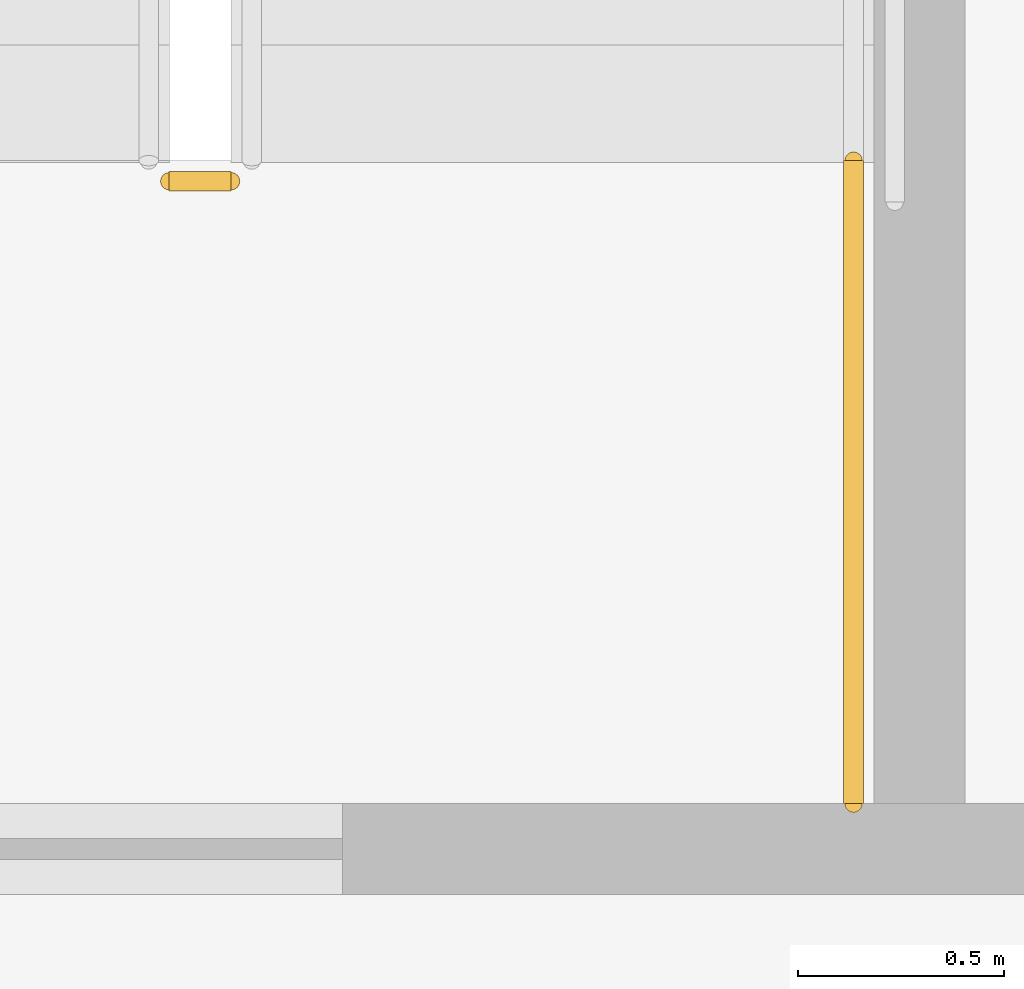
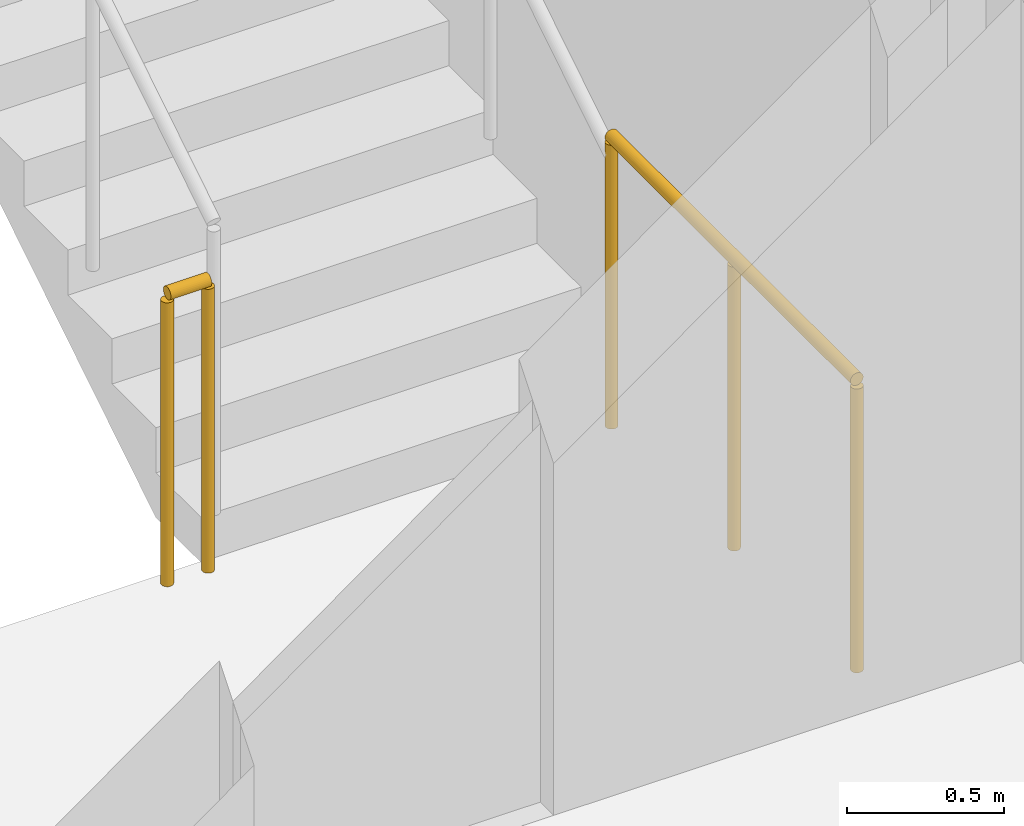
# One storey, part 11 of 14: 2 railings.
"""IFC4 building model written with IfcOpenShell, lengths in metres."""

from ifc_helpers import new_model, si_unit, direction, frame, origin, origin_2d, place, context, subcontext, project, spatial, circle, extrude, material, type_object, element, save


model = new_model("IFC4")

# Units and contexts
model_context = context("Model", 3, precision=1e-05, world=origin(), true_north=direction((0.0, 1.0)))
body_context = subcontext(model_context, "Body", "Model", "MODEL_VIEW")
ifc_project = project(units=[si_unit("LENGTHUNIT", "METRE"), si_unit("AREAUNIT", "SQUARE_METRE"), si_unit("VOLUMEUNIT", "CUBIC_METRE"), si_unit("PLANEANGLEUNIT", "RADIAN"), si_unit("MASSUNIT", "GRAM", prefix="KILO")], contexts=[model_context])

# Site, building, storey
site_placement = place(None, origin())
site = spatial("IfcSite", under=ifc_project, at=site_placement, CompositionType="ELEMENT")
building_placement = place(site_placement, origin())
building = spatial("IfcBuilding", under=site, at=building_placement, Name="Khairoan Windgate Tower", CompositionType="ELEMENT")
storey_placement = place(building_placement, frame((0.0, 0.0, 93.199951171875)))
storey = spatial("IfcBuildingStorey", under=building, at=storey_placement, Name="L21", CompositionType="ELEMENT", Elevation=93.199951171875)

# Railings
ifc_material = material(Name="Steel S355", Category="steel")
railing_type = type_object("IfcRailingType", Name="Stairwell Safety Guardrail SGR-1150", PredefinedType="GUARDRAIL", material=ifc_material)
railing_1_placement = place(storey_placement, frame((-17.7099609375, 2.909912109375, 0.0)))
element("IfcRailing", 1, at=railing_1_placement, inside=storey, type_object=railing_type, Name="L21 ST2 stair guard 7", PredefinedType="GUARDRAIL", context=body_context, shape_type="SweptSolid", body=[
    extrude(circle(Radius=0.02392578125, at=origin_2d()), frame((0.0, 0.0, 1.1259765625), z_axis=(-1.0, 0.0, 0.0), x_axis=(0.0, -1.0, 0.0)), (0.0, 0.0, 1.0), 0.150146484375),
    extrude(circle(Radius=0.02099609375, at=origin_2d()), origin(), (0.0, 0.0, 1.0), 1.101806640625),
    extrude(circle(Radius=0.02099609375, at=origin_2d()), frame((-0.150146484375, 0.0, 0.0)), (0.0, 0.0, 1.0), 1.101806640625),
])
railing_2_placement = place(storey_placement, frame((-16.199951171875, 1.39990234375, 0.0)))
element("IfcRailing", 2, at=railing_2_placement, inside=storey, type_object=railing_type, Name="L21 ST2 stair guard 8", PredefinedType="GUARDRAIL", context=body_context, shape_type="SweptSolid", body=[
    extrude(circle(Radius=0.02392578125, at=origin_2d()), frame((0.0, 0.0, 1.1259765625), z_axis=(0.0, 1.0, 0.0), x_axis=(-1.0, 0.0, 0.0)), (0.0, 0.0, 1.0), 1.56005859375),
    extrude(circle(Radius=0.02099609375, at=origin_2d()), origin(), (0.0, 0.0, 1.0), 1.101806640625),
    extrude(circle(Radius=0.02099609375, at=origin_2d()), frame((0.0, 0.780029296875, 0.0)), (0.0, 0.0, 1.0), 1.101806640625),
    extrude(circle(Radius=0.02099609375, at=origin_2d()), frame((0.0, 1.56005859375, 0.0)), (0.0, 0.0, 1.0), 1.101806640625),
])

save(model, "model.ifc")
